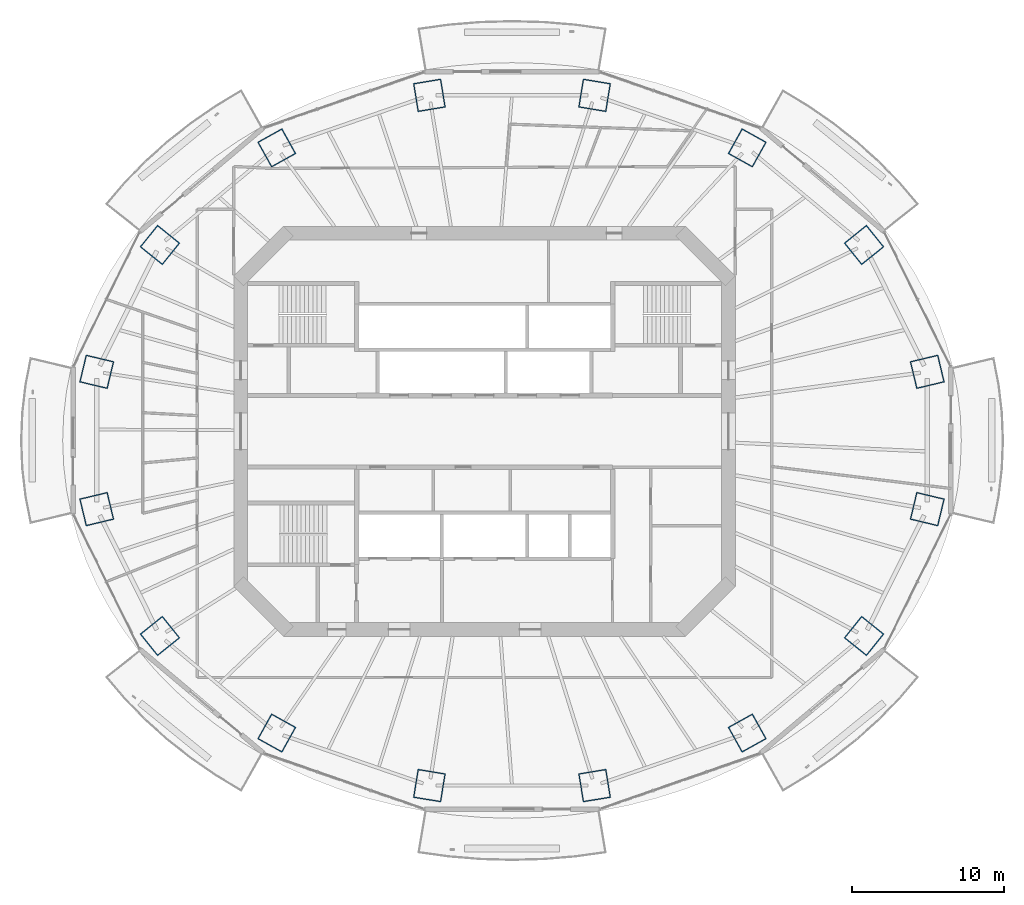
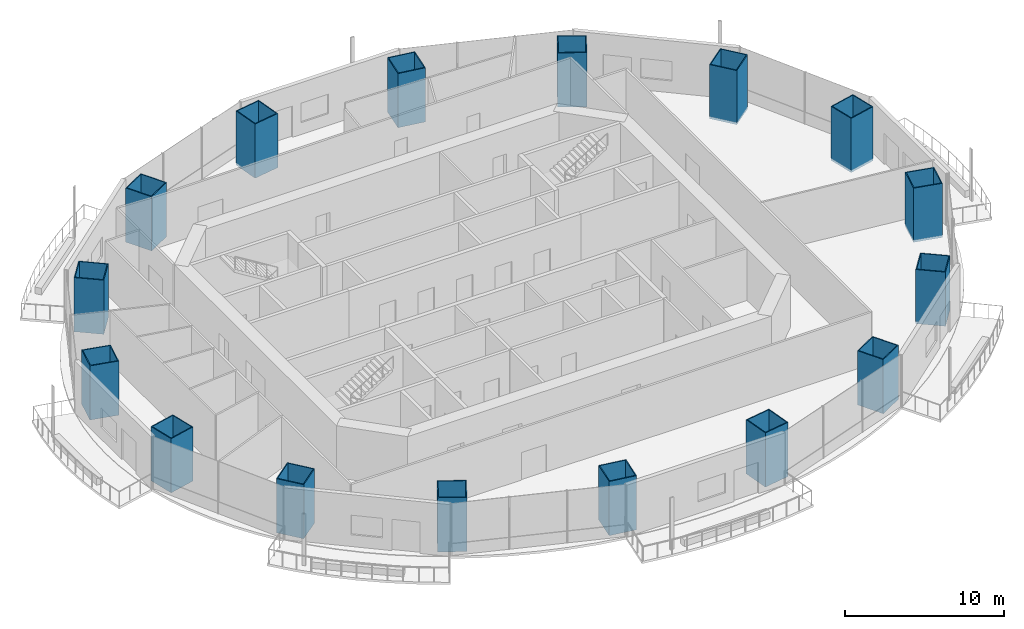
# One storey, part 1 of 18: 16 columns.
"""IFC4 building model written with IfcOpenShell, lengths in metres."""

import ifcopenshell
import ifcopenshell.guid

model = None  # the IFC model being written
_history = None  # IfcOwnerHistory: only IFC2X3 demands one
_inside = {}  # id of a spatial element -> (the spatial element, [elements in it])
_under = {}  # id of a project, library or spatial element -> (it, [spatial elements below it])
_declared = {}  # id of a project -> (the project, [libraries it declares])
_typed = {}  # id of a type object -> (the type object, [elements of that type])
_made_of = {}  # id of a material, layer set ... -> (it, [elements and type objects made of it])


def new_model(schema):
    """Start an empty IFC model of exactly this schema.

    Asked for "IFC4X3", IfcOpenShell would pick the latest addendum, in which some entities
    have other attributes; the version numbers below select the first issue.
    IFC2X3 requires an IfcOwnerHistory on every rooted entity: one is made here for all.
    """
    global model, _history
    if schema == "IFC4X3":
        model = ifcopenshell.file(schema_version=(4, 3, 0, 0))
    else:
        model = ifcopenshell.file(schema=schema)
    _inside.clear()
    _under.clear()
    _declared.clear()
    _typed.clear()
    _made_of.clear()
    _history = None
    if model.schema == "IFC2X3":
        org = make("IfcOrganization", Name="unknown")
        user = make(
            "IfcPersonAndOrganization",
            ThePerson=make("IfcPerson", FamilyName="unknown"),
            TheOrganization=org,
        )
        app = make(
            "IfcApplication",
            ApplicationDeveloper=org,
            Version="unknown",
            ApplicationFullName="unknown",
            ApplicationIdentifier="unknown",
        )
        _history = make(
            "IfcOwnerHistory",
            OwningUser=user,
            OwningApplication=app,
            ChangeAction="ADDED",
            CreationDate=0,
        )
    return model


def make(cls, **values):
    """One entity of the class cls with the attributes given. An attribute that is None is left unset."""
    return model.create_entity(
        cls, **{name: value for name, value in values.items() if value is not None}
    )


def rooted(cls, **values):
    """An entity with a GlobalId (a new one), such as an element, a storey or a relation."""
    return make(cls, GlobalId=ifcopenshell.guid.new(), OwnerHistory=_history, **values)


def si_unit(unit_type, name, prefix=None):
    """IfcSIUnit, for example si_unit("LENGTHUNIT", "METRE", prefix="MILLI")."""
    return make("IfcSIUnit", UnitType=unit_type, Prefix=prefix, Name=name)


def assignment(units):
    """IfcUnitAssignment: the units of a project."""
    return None if units is None else make("IfcUnitAssignment", Units=units)


def point(xyz):
    """IfcCartesianPoint."""
    return None if xyz is None else make("IfcCartesianPoint", Coordinates=xyz)


def direction(xyz):
    """IfcDirection."""
    return None if xyz is None else make("IfcDirection", DirectionRatios=xyz)


def frame(location, z_axis=None, x_axis=None):
    """IfcAxis2Placement3D, a coordinate frame: its origin and axes. An axis left out is left unset."""
    return make(
        "IfcAxis2Placement3D",
        Location=point(location),
        Axis=direction(z_axis),
        RefDirection=direction(x_axis),
    )


def frame_2d(location, x_axis=None):
    """IfcAxis2Placement2D, a coordinate frame in the plane: its origin and x axis."""
    return make(
        "IfcAxis2Placement2D", Location=point(location), RefDirection=direction(x_axis)
    )


def origin():
    """The frame at (0, 0, 0) with its axes left unset."""
    return frame((0.0, 0.0, 0.0))


def origin_2d():
    """The frame at (0, 0) in the plane with its x axis left unset."""
    return frame_2d((0.0, 0.0))


def place(relative_to, where):
    """IfcLocalPlacement: puts the frame where relative to a parent placement (None: the world)."""
    return make(
        "IfcLocalPlacement", PlacementRelTo=relative_to, RelativePlacement=where
    )


def context(
    kind, dimensions, precision=None, world=None, true_north=None, identifier=None
):
    """IfcGeometricRepresentationContext, for example the 3D "Model" context."""
    return make(
        "IfcGeometricRepresentationContext",
        ContextIdentifier=identifier,
        ContextType=kind,
        CoordinateSpaceDimension=dimensions,
        Precision=precision,
        WorldCoordinateSystem=world,
        TrueNorth=true_north,
    )


def subcontext(parent, identifier, kind, view, scale=None):
    """IfcGeometricRepresentationSubContext, for example "Body" below "Model"."""
    return make(
        "IfcGeometricRepresentationSubContext",
        ContextIdentifier=identifier,
        ContextType=kind,
        ParentContext=parent,
        TargetScale=scale,
        TargetView=view,
    )


def project(units=None, contexts=None):
    """IfcProject with its units and contexts."""
    return rooted(
        "IfcProject",
        Name="project",
        RepresentationContexts=contexts,
        UnitsInContext=assignment(units),
    )


def spatial(cls, under=None, at=None, **own):
    """A site, building, storey or space (cls), placed at a placement, below another one or the project."""
    s = rooted(cls, ObjectPlacement=at, **own)
    if under is not None:
        _under.setdefault(under.id(), (under, []))[1].append(s)
    return s


def profile(cls, at=None, kind="AREA", **sizes):
    """A parametric profile (cls). Its sizes go by their IFC names, for example OverallWidth=200.0."""
    return make(cls, ProfileType=kind, Position=at, **sizes)


def rectangle(**sizes):
    """IfcRectangleProfileDef."""
    return profile("IfcRectangleProfileDef", **sizes)


def hollow_rectangle(**sizes):
    """IfcRectangleHollowProfileDef."""
    return profile("IfcRectangleHollowProfileDef", **sizes)


def extrude(swept, where, along, depth):
    """IfcExtrudedAreaSolid: the profile swept, set in the frame where, extruded along a direction by depth."""
    return make(
        "IfcExtrudedAreaSolid",
        SweptArea=swept,
        Position=where,
        ExtrudedDirection=direction(along),
        Depth=depth,
    )


def shape(context_of_items, identifier, shape_type, items):
    """IfcShapeRepresentation: the items that make up one representation, for example the "Body"."""
    return make(
        "IfcShapeRepresentation",
        ContextOfItems=context_of_items,
        RepresentationIdentifier=identifier,
        RepresentationType=shape_type,
        Items=items,
    )


def material(Name=None, Category=None):
    """IfcMaterial."""
    return make("IfcMaterial", Name=Name, Category=Category)


def material_profile(
    of_material, cross_section, Name=None, Category=None, Priority=None
):
    """IfcMaterialProfile: a cross section and its material."""
    return make(
        "IfcMaterialProfile",
        Name=Name,
        Material=of_material,
        Profile=cross_section,
        Priority=Priority,
        Category=Category,
    )


def profile_set(profiles, Name=None, composite=None):
    """IfcMaterialProfileSet."""
    return make(
        "IfcMaterialProfileSet",
        Name=Name,
        MaterialProfiles=profiles,
        CompositeProfile=composite,
    )


def made_of(thing, what):
    """Note that an element or type object is made of a material, layer set ...; save() writes the relation."""
    if what is not None:
        _made_of.setdefault(what.id(), (what, []))[1].append(thing)
    return thing


def type_object(cls, material=None, **own):
    """A type object (cls), such as IfcWallType, which elements share."""
    return made_of(rooted(cls, **own), material)


def element(
    cls,
    number,
    at=None,
    inside=None,
    cuts=None,
    type_object=None,
    material=None,
    context=None,
    identifier="Body",
    shape_type=None,
    held_by="IfcProductDefinitionShape",
    body=None,
    shapes=None,
    **own,
):
    """One element of the class cls, such as IfcWall. Its Tag is "e" and its number.

    at: its placement. inside: the storey or other place that contains it. cuts: it is an
    opening in that element (IfcRelVoidsElement). A single representation is given by context,
    identifier, shape_type and body (its items); several are given by shapes. held_by: the class
    of the entity that holds the representations. save() writes the other relations.
    """
    e = rooted(cls, Tag="e%d" % number, ObjectPlacement=at, **own)
    if body is not None:
        shapes = [shape(context, identifier, shape_type, body)]
    if shapes is not None:
        e.Representation = make(held_by, Representations=shapes)
    if inside is not None:
        _inside.setdefault(inside.id(), (inside, []))[1].append(e)
    if cuts is not None:
        rooted(
            "IfcRelVoidsElement", RelatingBuildingElement=cuts, RelatedOpeningElement=e
        )
    if type_object is not None:
        _typed.setdefault(type_object.id(), (type_object, []))[1].append(e)
    return made_of(e, material)


def aggregate(whole, parts):
    """IfcRelAggregates: a whole, such as a stair, and the parts it consists of."""
    return rooted("IfcRelAggregates", RelatingObject=whole, RelatedObjects=parts)


def save(model, path):
    """Write the relations noted so far, then the file.

    IfcRelAggregates (storeys below a building ...), IfcRelContainedInSpatialStructure (elements
    in a storey), IfcRelDefinesByType, IfcRelAssociatesMaterial and IfcRelDeclares: one each for
    every whole, place, type object, material and project.
    """
    for whole, parts in _under.values():
        aggregate(whole, parts)
    for where, things in _inside.values():
        rooted(
            "IfcRelContainedInSpatialStructure",
            RelatedElements=things,
            RelatingStructure=where,
        )
    for kind, things in _typed.values():
        rooted("IfcRelDefinesByType", RelatedObjects=things, RelatingType=kind)
    for what, things in _made_of.values():
        rooted("IfcRelAssociatesMaterial", RelatedObjects=things, RelatingMaterial=what)
    for by, libraries in _declared.values():
        rooted("IfcRelDeclares", RelatingContext=by, RelatedDefinitions=libraries)
    model.write(path)


model = new_model("IFC4")

# Units and contexts
model_context = context("Model", 3, precision=1e-05, world=origin(), true_north=direction((0.0, 1.0)))
body_context = subcontext(model_context, "Body", "Model", "MODEL_VIEW")
ifc_project = project(units=[si_unit("LENGTHUNIT", "METRE"), si_unit("AREAUNIT", "SQUARE_METRE"), si_unit("VOLUMEUNIT", "CUBIC_METRE"), si_unit("PLANEANGLEUNIT", "RADIAN"), si_unit("MASSUNIT", "GRAM", prefix="KILO")], contexts=[model_context])

# Site, building, storey
site_placement = place(None, origin())
site = spatial("IfcSite", under=ifc_project, at=site_placement, CompositionType="ELEMENT")
building_placement = place(site_placement, origin())
building = spatial("IfcBuilding", under=site, at=building_placement, Name="Marenthal Gate Tower", CompositionType="ELEMENT")
storey_placement = place(building_placement, frame((0.0, 0.0, 260.64990234375)))
storey = spatial("IfcBuildingStorey", under=building, at=storey_placement, Name="L58", CompositionType="ELEMENT", Elevation=260.64990234375)

# Columns
ifc_material_1 = material(Name="Steel S460", Category="steel")
ifc_material_profile_1 = material_profile(ifc_material_1, hollow_rectangle(XDim=1.85009765625, YDim=1.89990234375, WallThickness=0.06494140625, at=origin_2d()), Name="CFT BOX 1900X1850X65")
ifc_material_2 = material(Name="Concrete 70 MPa", Category="concrete")
ifc_material_profile_2 = material_profile(ifc_material_2, rectangle(XDim=1.719970703125, YDim=1.77001953125, at=origin_2d()), Name="CFT BOX 1900X1850X65 INFILL")
ifc_profile_set = profile_set([ifc_material_profile_1, ifc_material_profile_2], Name="Steel S460 shell, Concrete 70 MPa infill")
column_type = type_object("IfcColumnType", Name="CFT BOX 1900X1850X65", PredefinedType="COLUMN", material=ifc_profile_set)
for number, where, z_axis, x_axis, name in (
    (1, (29.047119140625, 3.904296875, -0.179931640625), (0.0, 0.0, 1.0), (0.232769859533, -0.972531846519, 0.0), "COL-L58-01"),
    (2, (24.899169921875, 12.22705078125, -0.179931640625), (0.0, 0.0, 1.0), (0.626592929693, -0.779346713895, 0.0), "COL-L58-02"),
    (3, (17.234375, 18.596923828125, -0.179931640625), (0.0, 0.0, 1.0), (0.874250531492, -0.485475033534, 0.0), "COL-L58-03"),
    (4, (7.2197265625, 22.04443359375, -0.179931640625), (0.0, 0.0, 1.0), (0.986610047685, -0.163096946041, 0.0), "COL-L58-04"),
    (5, (-3.619873046875, 22.04443359375, -0.179931640625), (0.0, 0.0, 1.0), (0.986610047685, 0.163096946041, 0.0), "COL-L58-05"),
    (6, (-13.63427734375, 18.596923828125, -0.179931640625), (0.0, 0.0, 1.0), (0.874250531492, 0.485475033534, 0.0), "COL-L58-06"),
    (7, (-21.299072265625, 12.22705078125, -0.179931640625), (0.0, 0.0, 1.0), (0.626592929693, 0.779346713895, 0.0), "COL-L58-07"),
    (8, (-25.447265625, 3.904296875, -0.179931640625), (0.0, 0.0, 1.0), (0.232769859533, 0.972531846519, 0.0), "COL-L58-08"),
    (9, (-25.447265625, -5.104248046875, -0.179931640625), (0.0, 0.0, 1.0), (-0.232769859533, 0.972531846519, 0.0), "COL-L58-09"),
    (10, (-21.299072265625, -13.427001953125, -0.179931640625), (0.0, 0.0, 1.0), (-0.626592929693, 0.779346713895, 0.0), "COL-L58-10"),
    (11, (-13.63427734375, -19.797119140625, -0.179931640625), (0.0, 0.0, 1.0), (-0.874250531492, 0.485475033534, 0.0), "COL-L58-11"),
    (12, (-3.619873046875, -23.244384765625, -0.179931640625), (0.0, 0.0, 1.0), (-0.986610047685, 0.163096946041, 0.0), "COL-L58-12"),
    (13, (7.2197265625, -23.244384765625, -0.179931640625), (0.0, 0.0, 1.0), (-0.986610047685, -0.163096946041, 0.0), "COL-L58-13"),
    (14, (17.234375, -19.797119140625, -0.179931640625), (0.0, 0.0, 1.0), (-0.874250531492, -0.485475033534, 0.0), "COL-L58-14"),
    (15, (24.899169921875, -13.427001953125, -0.179931640625), (0.0, 0.0, 1.0), (-0.626592929693, -0.779346713895, 0.0), "COL-L58-15"),
    (16, (29.047119140625, -5.104248046875, -0.179931640625), (0.0, 0.0, 1.0), (-0.232769859533, -0.972531846519, 0.0), "COL-L58-16"),
):
    element("IfcColumn", number, at=place(storey_placement, frame(where, z_axis=z_axis, x_axis=x_axis)), inside=storey, type_object=column_type, Name=name, PredefinedType="COLUMN", context=body_context, shape_type="SweptSolid", body=[
        extrude(hollow_rectangle(XDim=1.85009765625, YDim=1.89990234375, WallThickness=0.06494140625, at=origin_2d()), origin(), (0.0, 0.0, 1.0), 4.150146484375),
    ])

save(model, "model.ifc")
